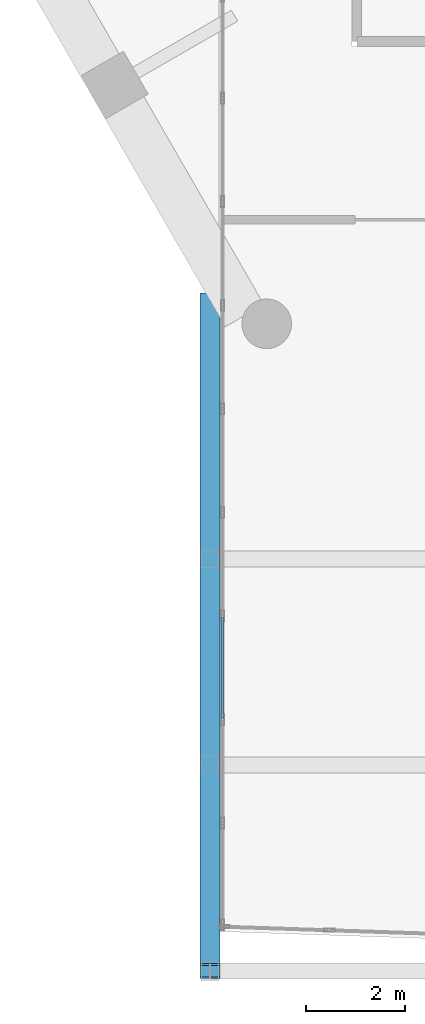
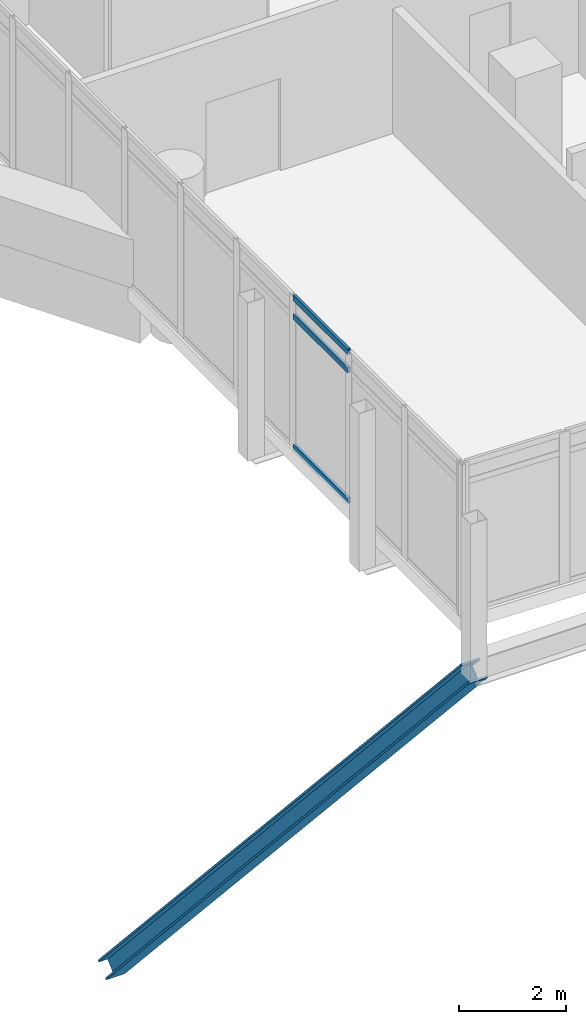
# One storey, part 3 of 38: 4 members, 1 element without a shape of its own.
"""IFC4 building model written with IfcOpenShell, lengths in metres."""

from ifc_helpers import new_model, si_unit, direction, frame, origin, origin_2d, place, context, subcontext, project, spatial, hollow_rectangle, i_section, extrude, material, material_profile, profile_set, type_object, element, aggregate, save


model = new_model("IFC4")

# Units and contexts
model_context = context("Model", 3, precision=1e-05, world=origin(), true_north=direction((0.0, 1.0)))
body_context = subcontext(model_context, "Body", "Model", "MODEL_VIEW")
ifc_project = project(units=[si_unit("LENGTHUNIT", "METRE"), si_unit("AREAUNIT", "SQUARE_METRE"), si_unit("VOLUMEUNIT", "CUBIC_METRE"), si_unit("PLANEANGLEUNIT", "RADIAN"), si_unit("MASSUNIT", "GRAM", prefix="KILO")], contexts=[model_context])

# Site, building, storey
site_placement = place(None, origin())
site = spatial("IfcSite", under=ifc_project, at=site_placement, CompositionType="ELEMENT")
building_placement = place(site_placement, origin())
building = spatial("IfcBuilding", under=site, at=building_placement, Name="Ostrander Bayou Hotel Tower", CompositionType="ELEMENT")
storey_placement = place(building_placement, frame((0.0, 0.0, 194.5)))
storey = spatial("IfcBuildingStorey", under=building, at=storey_placement, Name="L48", CompositionType="ELEMENT", Elevation=194.5)

# Curtain wall, members
ifc_material_1 = material(Name="Aluminium and clear glass", Category="aluminium")
curtain_wall_type = type_object("IfcCurtainWallType", Name="CW-BAR glazed wall", PredefinedType="NOTDEFINED", material=ifc_material_1)
curtain_wall_placement = place(storey_placement, origin())
curtain_wall = element("IfcCurtainWall", 1, at=curtain_wall_placement, inside=storey, type_object=curtain_wall_type, Name="CW-BAR L48:SB4S:E", PredefinedType="NOTDEFINED")
ifc_material_2 = material(Name="Aluminium", Category="aluminium")
ifc_material_profile_1 = material_profile(ifc_material_2, hollow_rectangle(XDim=0.06005859375, YDim=0.1298828125, WallThickness=0.00390625, at=origin_2d()))
ifc_profile_set_1 = profile_set([ifc_material_profile_1], Name="Aluminium")
member_type_1 = type_object("IfcMemberType", Name="CW-BR transom 60 x 130 mm", PredefinedType="USERDEFINED", material=ifc_profile_set_1)
member_1_placement = place(storey_placement, frame((-11.857177734375, -23.019287109375, 0.030029296875), z_axis=(0.0, -1.0, 0.0), x_axis=(1.0, 0.0, 0.0)))
member_1 = element("IfcMember", 2, at=member_1_placement, type_object=member_type_1, Name="CW-BAR transom 7.1", ObjectType="TRANSOM", PredefinedType="USERDEFINED", context=body_context, shape_type="SweptSolid", body=[
    extrude(hollow_rectangle(XDim=0.06005859375, YDim=0.1298828125, WallThickness=0.00390625, at=origin_2d()), origin(), (0.0, 0.0, 1.0), 2.027587890625),
])
member_2_placement = place(storey_placement, frame((-11.857177734375, -23.019287109375, 3.0), z_axis=(0.0, -1.0, 0.0), x_axis=(1.0, 0.0, 0.0)))
member_2 = element("IfcMember", 3, at=member_2_placement, type_object=member_type_1, Name="CW-BAR transom 7.2", ObjectType="TRANSOM", PredefinedType="USERDEFINED", context=body_context, shape_type="SweptSolid", body=[
    extrude(hollow_rectangle(XDim=0.06005859375, YDim=0.1298828125, WallThickness=0.00390625, at=origin_2d()), origin(), (0.0, 0.0, 1.0), 2.027587890625),
])
member_3_placement = place(storey_placement, frame((-11.857177734375, -23.019287109375, 3.419921875), z_axis=(0.0, -1.0, 0.0), x_axis=(1.0, 0.0, 0.0)))
member_3 = element("IfcMember", 4, at=member_3_placement, type_object=member_type_1, Name="CW-BAR transom 7.3", ObjectType="TRANSOM", PredefinedType="USERDEFINED", context=body_context, shape_type="SweptSolid", body=[
    extrude(hollow_rectangle(XDim=0.06005859375, YDim=0.1298828125, WallThickness=0.00390625, at=origin_2d()), origin(), (0.0, 0.0, 1.0), 2.027587890625),
])
aggregate(curtain_wall, [member_1, member_2, member_3])

# Member
ifc_material_3 = material(Name="Steel ASTM A992", Category="steel")
ifc_material_profile_2 = material_profile(ifc_material_3, i_section(OverallWidth=0.403564453125, OverallDepth=0.407470703125, WebThickness=0.027099609375, FlangeThickness=0.043701171875, at=origin_2d()))
ifc_profile_set_2 = profile_set([ifc_material_profile_2], Name="Steel ASTM A992")
member_type_2 = type_object("IfcMemberType", Name="TK2 bar kicker strut W14x233", PredefinedType="BRACE", material=ifc_profile_set_2)
member_4_placement = place(storey_placement, frame((-12.110107421875, -30.14990234375, -0.6611328125), z_axis=(0.0, 0.671150575778, -0.741321053682), x_axis=(-1.0, 0.0, 0.0)))
element("IfcMember", 5, at=member_4_placement, inside=storey, type_object=member_type_2, Name="TK2 SB4SA kicker", PredefinedType="BRACE", context=body_context, shape_type="SweptSolid", body=[
    extrude(i_section(OverallWidth=0.403564453125, OverallDepth=0.407470703125, WebThickness=0.027099609375, FlangeThickness=0.043701171875, at=origin_2d()), origin(), (0.0, 0.0, 1.0), 20.15185546875),
])

save(model, "model.ifc")
